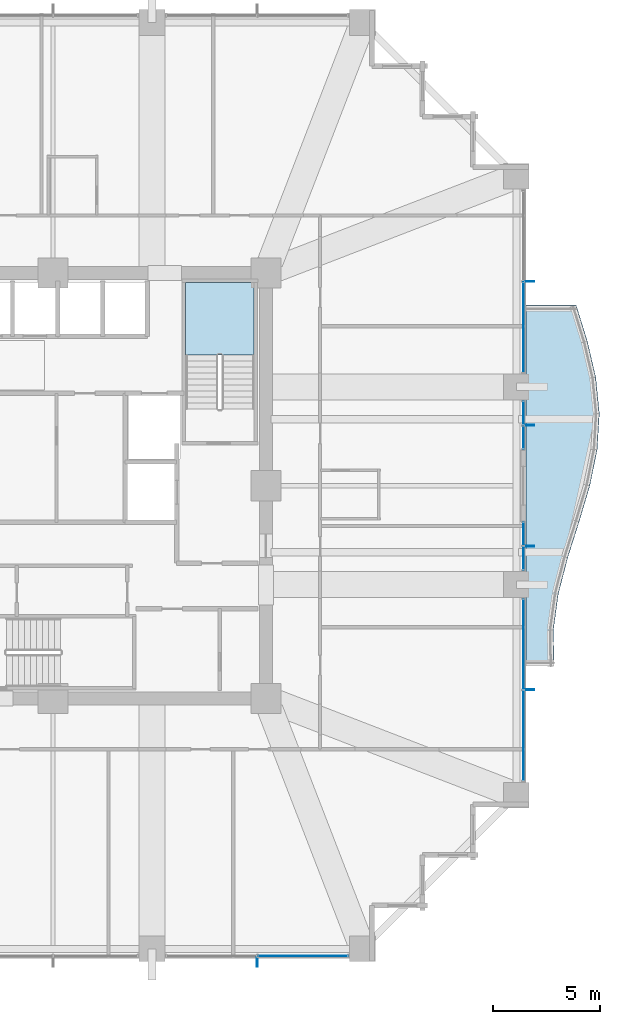
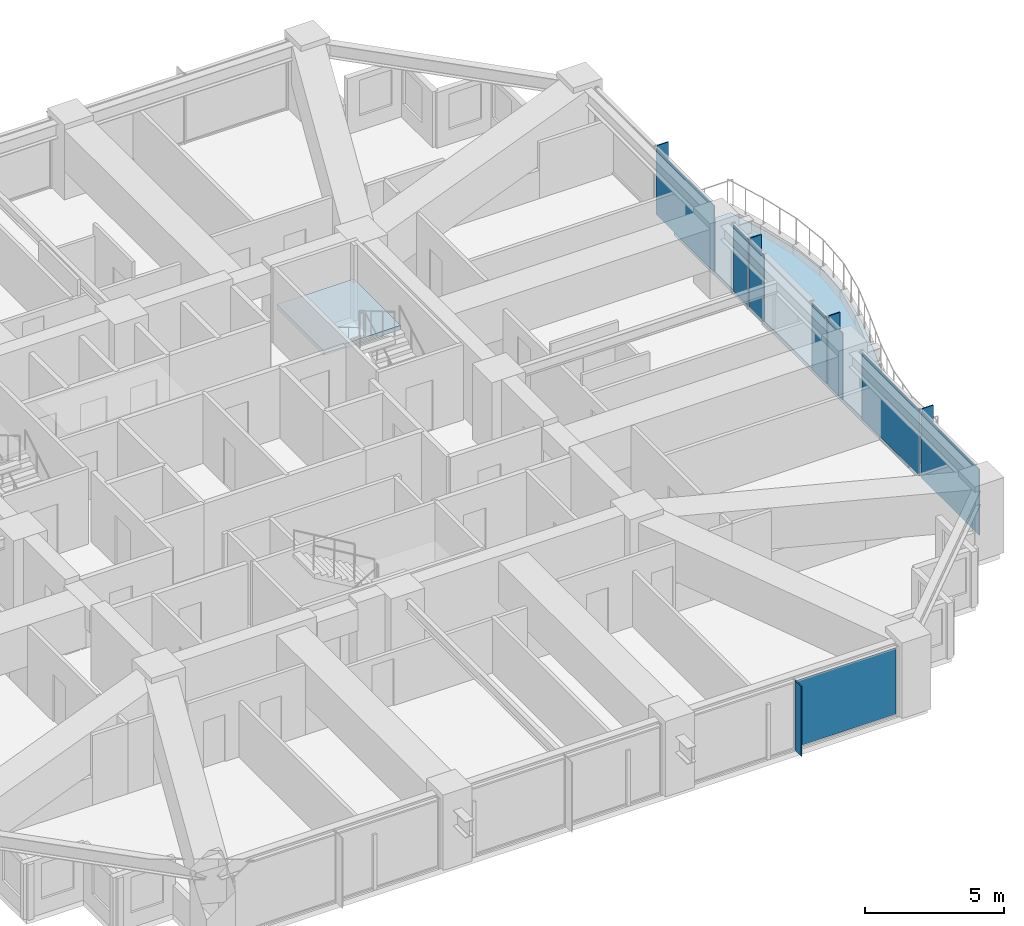
# One storey, part 31 of 39: 13 plates, 2 slabs, 6 elements without a shape of their own.
"""IFC4 building model written with IfcOpenShell, lengths in metres."""

from ifc_helpers import new_model, si_unit, direction, frame, origin, origin_2d, place, context, subcontext, project, spatial, polyline, rectangle, outline, extrude, material, layer, layer_set, type_object, element, aggregate, save


model = new_model("IFC4")

# Units and contexts
model_context = context("Model", 3, precision=1e-05, world=origin(), true_north=direction((0.0, 1.0)))
body_context = subcontext(model_context, "Body", "Model", "MODEL_VIEW")
ifc_project = project(units=[si_unit("LENGTHUNIT", "METRE"), si_unit("AREAUNIT", "SQUARE_METRE"), si_unit("VOLUMEUNIT", "CUBIC_METRE"), si_unit("PLANEANGLEUNIT", "RADIAN"), si_unit("MASSUNIT", "GRAM", prefix="KILO")], contexts=[model_context])

# Site, building, storey
site_placement = place(None, origin())
site = spatial("IfcSite", under=ifc_project, at=site_placement, CompositionType="ELEMENT")
building_placement = place(site_placement, origin())
building = spatial("IfcBuilding", under=site, at=building_placement, Name="Kolvaren Belvedere", CompositionType="ELEMENT")
storey_placement = place(building_placement, frame((0.0, 0.0, 40.300048828125)))
storey = spatial("IfcBuildingStorey", under=building, at=storey_placement, Name="L11", CompositionType="ELEMENT", Elevation=40.300048828125)

# Curtain wall, plate
ifc_material_1 = material(Name="Anodised pale-metal aluminium AA 6063-T6", Category="aluminium")
curtain_wall_type = type_object("IfcCurtainWallType", Name="CW-Z1-LOW", PredefinedType="NOTDEFINED", material=ifc_material_1)
curtain_wall_1_placement = place(storey_placement, origin())
curtain_wall_1 = element("IfcCurtainWall", 1, at=curtain_wall_1_placement, inside=storey, type_object=curtain_wall_type, Name="L11 Unitised Curtain Wall FCW-L11-S-B1", PredefinedType="NOTDEFINED")
ifc_material_2 = material(Name="Low-iron triple insulated glass", Category="glass")
ifc_layer_1 = layer(ifc_material_2, 0.028076171875)
ifc_layer_set_1 = layer_set([ifc_layer_1], Name="Low-iron triple insulated glass")
plate_type_1 = type_object("IfcPlateType", Name="CW-PNL-VIS28", PredefinedType="CURTAIN_PANEL", material=ifc_layer_set_1)
plate_1_placement = place(storey_placement, frame((11.62255859375, -21.8798828125, 0.080078125), z_axis=(0.0, 0.0, 1.0), x_axis=(-1.0, 0.0, 0.0)))
plate_1 = element("IfcPlate", 2, at=plate_1_placement, type_object=plate_type_1, Name="FCW-L11-S-B1 Vision Glazing Panel 1", PredefinedType="CURTAIN_PANEL", context=body_context, shape_type="SweptSolid", body=[
    extrude(rectangle(XDim=4.1650390625, YDim=0.028076171875, at=origin_2d()), origin(), (0.0, 0.0, 1.0), 2.89990234375),
])
aggregate(curtain_wall_1, [plate_1])

curtain_wall_2_placement = place(storey_placement, origin())
curtain_wall_2 = element("IfcCurtainWall", 3, at=curtain_wall_2_placement, inside=storey, type_object=curtain_wall_type, Name="L11 Unitised Curtain Wall FCW-L11-E1-B1", PredefinedType="NOTDEFINED")
plate_2_placement = place(storey_placement, frame((21.8798828125, 7.37744140625, 0.080078125), z_axis=(0.0, 0.0, 1.0), x_axis=(0.0, -1.0, 0.0)))
plate_2 = element("IfcPlate", 4, at=plate_2_placement, type_object=plate_type_1, Name="FCW-L11-E1-B1 Vision Glazing Panel 2", PredefinedType="CURTAIN_PANEL", context=body_context, shape_type="SweptSolid", body=[
    extrude(rectangle(XDim=4.1650390625, YDim=0.028076171875, at=origin_2d()), origin(), (0.0, 0.0, 1.0), 2.89990234375),
])
aggregate(curtain_wall_2, [plate_2])

# Curtain wall, plates
curtain_wall_3_placement = place(storey_placement, origin())
curtain_wall_3 = element("IfcCurtainWall", 5, at=curtain_wall_3_placement, inside=storey, type_object=curtain_wall_type, Name="L11 Unitised Curtain Wall FCW-L11-E1-B2", PredefinedType="NOTDEFINED")
plate_3_placement = place(storey_placement, frame((21.8798828125, 3.37890625, 0.080078125), z_axis=(0.0, 0.0, 1.0), x_axis=(0.0, -1.0, 0.0)))
plate_3 = element("IfcPlate", 6, at=plate_3_placement, type_object=plate_type_1, Name="FCW-L11-E1-B2 Vision Glazing Panel 1", PredefinedType="CURTAIN_PANEL", context=body_context, shape_type="SweptSolid", body=[
    extrude(rectangle(XDim=1.052490234375, YDim=0.028076171875, at=origin_2d()), origin(), (0.0, 0.0, 1.0), 2.89990234375),
])
plate_4_placement = place(storey_placement, frame((21.8798828125, 2.24609375, 0.080078125), z_axis=(0.0, 0.0, 1.0), x_axis=(0.0, -1.0, 0.0)))
plate_4 = element("IfcPlate", 7, at=plate_4_placement, type_object=plate_type_1, Name="FCW-L11-E1-B2 Vision Glazing Panel 2", PredefinedType="CURTAIN_PANEL", context=body_context, shape_type="SweptSolid", body=[
    extrude(rectangle(XDim=1.052490234375, YDim=0.028076171875, at=origin_2d()), origin(), (0.0, 0.0, 1.0), 2.89990234375),
])
aggregate(curtain_wall_3, [plate_3, plate_4])

curtain_wall_4_placement = place(storey_placement, origin())
curtain_wall_4 = element("IfcCurtainWall", 8, at=curtain_wall_4_placement, inside=storey, type_object=curtain_wall_type, Name="L11 Unitised Curtain Wall FCW-L11-E2-B1", PredefinedType="NOTDEFINED")
plate_5_placement = place(storey_placement, frame((21.8798828125, -2.24609375, 0.080078125), z_axis=(0.0, 0.0, 1.0), x_axis=(0.0, -1.0, 0.0)))
plate_5 = element("IfcPlate", 9, at=plate_5_placement, type_object=plate_type_1, Name="FCW-L11-E2-B1 Vision Glazing Panel 1", PredefinedType="CURTAIN_PANEL", context=body_context, shape_type="SweptSolid", body=[
    extrude(rectangle(XDim=1.052490234375, YDim=0.028076171875, at=origin_2d()), origin(), (0.0, 0.0, 1.0), 2.89990234375),
])
plate_6_placement = place(storey_placement, frame((21.8798828125, -3.378662109375, 0.080078125), z_axis=(0.0, 0.0, 1.0), x_axis=(0.0, -1.0, 0.0)))
plate_6 = element("IfcPlate", 10, at=plate_6_placement, type_object=plate_type_1, Name="FCW-L11-E2-B1 Vision Glazing Panel 2", PredefinedType="CURTAIN_PANEL", context=body_context, shape_type="SweptSolid", body=[
    extrude(rectangle(XDim=1.052490234375, YDim=0.028076171875, at=origin_2d()), origin(), (0.0, 0.0, 1.0), 2.89990234375),
])
aggregate(curtain_wall_4, [plate_5, plate_6])

curtain_wall_5_placement = place(storey_placement, origin())
curtain_wall_5 = element("IfcCurtainWall", 11, at=curtain_wall_5_placement, inside=storey, type_object=curtain_wall_type, Name="L11 Unitised Curtain Wall FCW-L11-E2-B2", PredefinedType="NOTDEFINED")
plate_7_placement = place(storey_placement, frame((21.8798828125, -7.37744140625, 0.080078125), z_axis=(0.0, 0.0, 1.0), x_axis=(0.0, -1.0, 0.0)))
plate_7 = element("IfcPlate", 12, at=plate_7_placement, type_object=plate_type_1, Name="FCW-L11-E2-B2 Vision Glazing Panel 1", PredefinedType="CURTAIN_PANEL", context=body_context, shape_type="SweptSolid", body=[
    extrude(rectangle(XDim=4.1650390625, YDim=0.028076171875, at=origin_2d()), origin(), (0.0, 0.0, 1.0), 2.89990234375),
])
plate_8_placement = place(storey_placement, frame((21.8798828125, -11.62255859375, 0.080078125), z_axis=(0.0, 0.0, 1.0), x_axis=(0.0, -1.0, 0.0)))
plate_8 = element("IfcPlate", 13, at=plate_8_placement, type_object=plate_type_1, Name="FCW-L11-E2-B2 Vision Glazing Panel 2", PredefinedType="CURTAIN_PANEL", context=body_context, shape_type="SweptSolid", body=[
    extrude(rectangle(XDim=4.1650390625, YDim=0.028076171875, at=origin_2d()), origin(), (0.0, 0.0, 1.0), 2.89990234375),
])
aggregate(curtain_wall_5, [plate_7, plate_8])

# Plates
ifc_material_3 = material(Name="Anodised pale-metal aluminium AA 6063-T6", Category="aluminium")
ifc_layer_2 = layer(ifc_material_3, 0.0380859375)
ifc_layer_set_2 = layer_set([ifc_layer_2], Name="Anodised pale-metal aluminium AA 6063-T6")
plate_type_2 = type_object("IfcPlateType", Name="FIN-VERT-450", PredefinedType="USERDEFINED", material=ifc_layer_set_2)
for number, where, z_axis, x_axis, name in (
    (14, (9.5, -22.1650390625, 0.0), (0.0, 0.0, 1.0), (0.0, 1.0, 0.0), "L11 Pale-Metal Vertical Shading Fin FCW-L11-S-B1-1"),
    (15, (22.1650390625, 9.5, 0.0), (0.0, 0.0, 1.0), (1.0, 0.0, 0.0), "L11 Pale-Metal Vertical Shading Fin FCW-L11-E1-B1-1"),
    (16, (22.1650390625, 2.8125, 0.0), (0.0, 0.0, 1.0), (1.0, 0.0, 0.0), "L11 Pale-Metal Vertical Shading Fin FCW-L11-E1-B2-1"),
    (17, (22.1650390625, -2.8125, 0.0), (0.0, 0.0, 1.0), (1.0, 0.0, 0.0), "L11 Pale-Metal Vertical Shading Fin FCW-L11-E2-B1-1"),
    (18, (22.1650390625, -9.5, 0.0), (0.0, 0.0, 1.0), (1.0, 0.0, 0.0), "L11 Pale-Metal Vertical Shading Fin FCW-L11-E2-B2-1"),
):
    element("IfcPlate", number, at=place(storey_placement, frame(where, z_axis=z_axis, x_axis=x_axis)), inside=storey, type_object=plate_type_2, Name=name, ObjectType="VERTICAL FIN", PredefinedType="USERDEFINED", context=body_context, shape_type="SweptSolid", body=[
        extrude(rectangle(XDim=0.449951171875, YDim=0.0380859375, at=origin_2d()), origin(), (0.0, 0.0, 1.0), 3.06005859375),
    ])

# Slab
ifc_material_4 = material(Name="Concrete C50/60", Category="concrete")
ifc_layer_3 = layer(ifc_material_4, 0.179931640625)
ifc_layer_set_3 = layer_set([ifc_layer_3], Name="Concrete C50/60")
slab_type_1 = type_object("IfcSlabType", Name="SL-BAL-180", PredefinedType="FLOOR", material=ifc_layer_set_3)
slab_1_placement = place(storey_placement, frame((0.0, 0.0, -0.239990234375)))
element("IfcSlab", 19, at=slab_1_placement, inside=storey, type_object=slab_type_1, Name="L11 Planted Balcony BAL-E", PredefinedType="FLOOR", context=body_context, shape_type="SweptSolid", body=[
    extrude(outline(polyline([(23.31298828125, -8.39990234375), (23.279052734375, -6.719970703125), (23.5078125, -5.0400390625), (23.9423828125, -3.360107421875), (24.475341796875, -1.679931640625), (24.974853515625, 0.0), (25.317138671875, 1.679931640625), (25.419921875, 3.360107421875), (25.251953125, 5.0400390625), (24.8603515625, 6.719970703125), (24.340087890625, 8.39990234375), (22.0, 8.39990234375), (22.0, 6.719970703125), (22.0, 5.0400390625), (22.0, 3.360107421875), (22.0, 1.679931640625), (22.0, 0.0), (22.0, -1.679931640625), (22.0, -3.360107421875), (22.0, -5.0400390625), (22.0, -6.719970703125), (22.0, -8.39990234375), (23.31298828125, -8.39990234375)])), origin(), (0.0, 0.0, 1.0), 0.179931640625),
])

# Stair, slab
ifc_material_5 = material(Name="Concrete C50/60", Category="concrete")
stair_type = type_object("IfcStairType", Name="ST-CORE-1520", PredefinedType="HALF_TURN_STAIR", material=ifc_material_5)
stair_placement = place(storey_placement, origin())
stair = element("IfcStair", 20, at=stair_placement, inside=storey, type_object=stair_type, Name="L11 Protected Exit Stair ST-2", PredefinedType="HALF_TURN_STAIR")
ifc_material_6 = material(Name="Concrete C50/60", Category="concrete")
ifc_layer_4 = layer(ifc_material_6, 0.260009765625)
ifc_layer_set_4 = layer_set([ifc_layer_4], Name="Concrete C50/60")
slab_type_2 = type_object("IfcSlabType", Name="SL-LAND-260", PredefinedType="LANDING", material=ifc_layer_set_4)
slab_2_placement = place(storey_placement, frame((0.0, 0.0, 1.449951171875)))
slab_2 = element("IfcSlab", 21, at=slab_2_placement, type_object=slab_type_2, Name="ST-2 landing 1", PredefinedType="LANDING", context=body_context, shape_type="SweptSolid", body=[
    extrude(outline(polyline([(9.35009765625, 6.090087890625), (9.35009765625, 9.449951171875), (6.159912109375, 9.449951171875), (6.159912109375, 6.090087890625), (9.35009765625, 6.090087890625)])), origin(), (0.0, 0.0, 1.0), 0.199951171875),
])
aggregate(stair, [slab_2])

save(model, "model.ifc")
